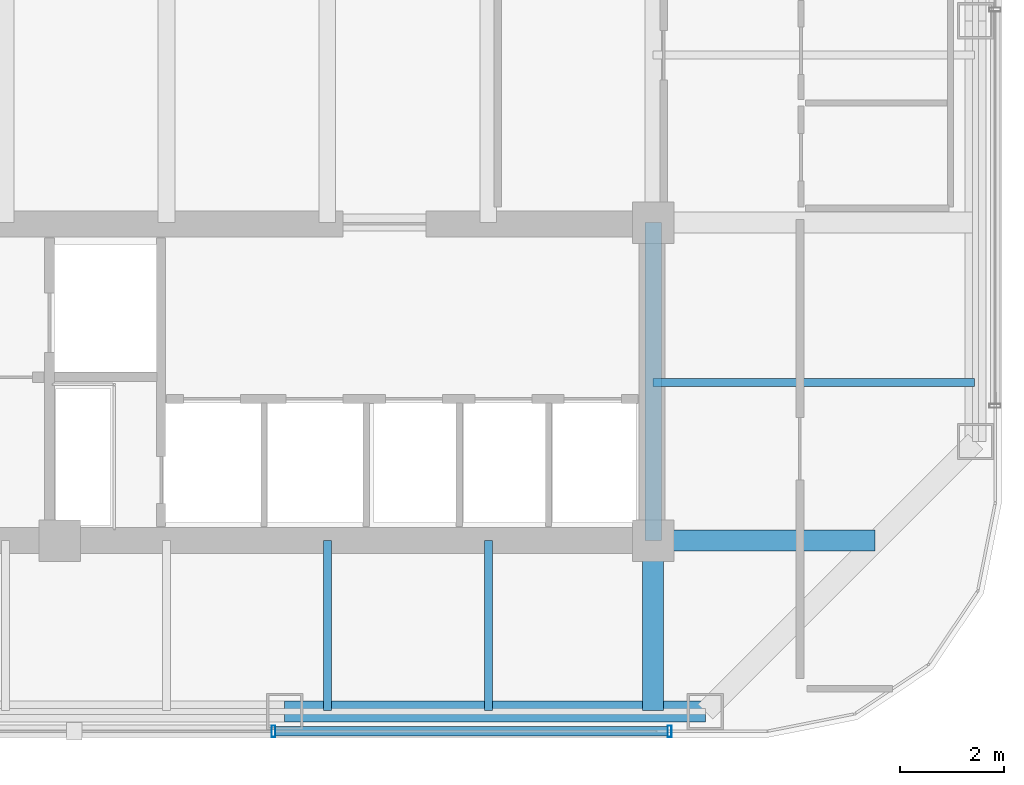
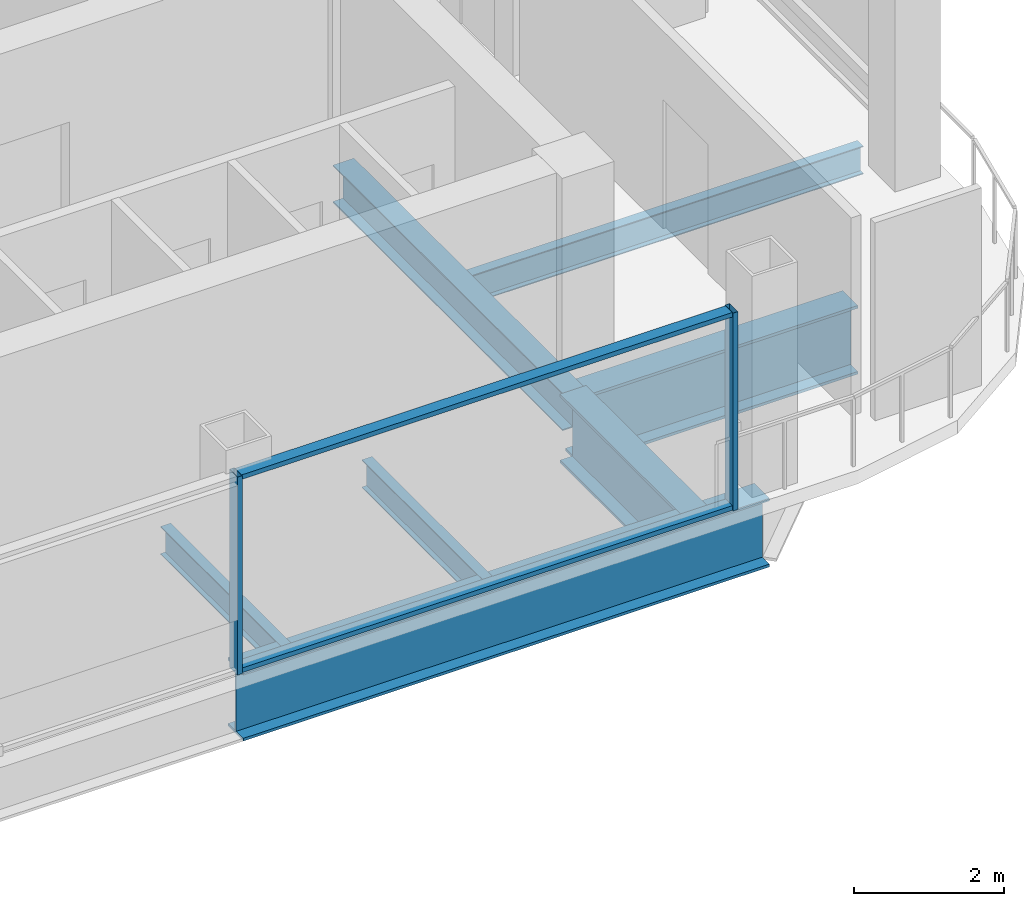
# One storey, part 4 of 19: 7 beams, 4 members, 1 element without a shape of its own.
"""IFC4 building model written with IfcOpenShell, lengths in metres."""

from ifc_helpers import new_model, si_unit, direction, frame, origin, origin_2d, place, context, subcontext, project, spatial, hollow_rectangle, i_section, extrude, material, layer, layer_set, material_profile, profile_set, type_object, element, aggregate, save


model = new_model("IFC4")

# Units and contexts
model_context = context("Model", 3, precision=1e-05, world=origin(), true_north=direction((0.0, 1.0)))
body_context = subcontext(model_context, "Body", "Model", "MODEL_VIEW")
ifc_project = project(units=[si_unit("LENGTHUNIT", "METRE"), si_unit("AREAUNIT", "SQUARE_METRE"), si_unit("VOLUMEUNIT", "CUBIC_METRE"), si_unit("PLANEANGLEUNIT", "RADIAN"), si_unit("MASSUNIT", "GRAM", prefix="KILO")], contexts=[model_context])

# Site, building, storey
site_placement = place(None, origin())
site = spatial("IfcSite", under=ifc_project, at=site_placement, CompositionType="ELEMENT")
building_placement = place(site_placement, origin())
building = spatial("IfcBuilding", under=site, at=building_placement, Name="Qhalaya Broadcast Tower", CompositionType="ELEMENT")
storey_placement = place(building_placement, frame((0.0, 0.0, 148.199951171875)))
storey = spatial("IfcBuildingStorey", under=building, at=storey_placement, Name="L43", CompositionType="ELEMENT", Elevation=148.199951171875)

# Beams
ifc_material_1 = material(Name="Structural Steel ASTM A992 Grade 50", Category="steel")
ifc_material_profile_1 = material_profile(ifc_material_1, i_section(OverallWidth=0.154052734375, OverallDepth=0.458984375, WebThickness=0.009033203125, FlangeThickness=0.015380859375, at=origin_2d()), Name="W18X46")
ifc_profile_set_1 = profile_set([ifc_material_profile_1], Name="Structural Steel ASTM A992 Grade 50")
beam_type_1 = type_object("IfcBeamType", Name="Composite Floor Joist J04", PredefinedType="JOIST", material=ifc_profile_set_1)
for number, where, z_axis, x_axis, name in (
    (1, (3.10009765625, -12.02001953125, -0.449462890625), (0.0, 1.0, 0.0), (-1.0, 0.0, 0.0), "L43 J04 L43-JNS4-1"),
    (2, (6.199951171875, -12.02001953125, -0.449462890625), (0.0, 1.0, 0.0), (-1.0, 0.0, 0.0), "L43 J04 L43-JNS5-1"),
):
    element("IfcBeam", number, at=place(storey_placement, frame(where, z_axis=z_axis, x_axis=x_axis)), inside=storey, type_object=beam_type_1, Name=name, PredefinedType="JOIST", context=body_context, shape_type="SweptSolid", body=[
        extrude(i_section(OverallWidth=0.154052734375, OverallDepth=0.458984375, WebThickness=0.009033203125, FlangeThickness=0.015380859375, at=origin_2d()), origin(), (0.0, 0.0, 1.0), 3.27001953125),
    ])
beam_1_placement = place(storey_placement, frame((9.375, -5.699951171875, -0.449462890625), z_axis=(1.0, 0.0, 0.0), x_axis=(0.0, 1.0, 0.0)))
element("IfcBeam", 3, at=beam_1_placement, inside=storey, type_object=beam_type_1, Name="L43 J04 L43-JWE3E-1", PredefinedType="JOIST", context=body_context, shape_type="SweptSolid", body=[
    extrude(i_section(OverallWidth=0.154052734375, OverallDepth=0.458984375, WebThickness=0.009033203125, FlangeThickness=0.015380859375, at=origin_2d()), origin(), (0.0, 0.0, 1.0), 6.18505859375),
])
ifc_material_profile_2 = material_profile(ifc_material_1, i_section(OverallWidth=0.323974609375, OverallDepth=0.612060546875, WebThickness=0.0126953125, FlangeThickness=0.01904296875, at=origin_2d()), Name="W24X104")
ifc_profile_set_2 = profile_set([ifc_material_profile_2], Name="Structural Steel ASTM A992 Grade 50")
beam_type_2 = type_object("IfcBeamType", Name="Core Frame Tie Beam B04", PredefinedType="BEAM", material=ifc_profile_set_2)
beam_2_placement = place(storey_placement, frame((9.375, -8.75, -0.52587890625), z_axis=(0.0, 1.0, 0.0), x_axis=(-1.0, 0.0, 0.0)))
element("IfcBeam", 4, at=beam_2_placement, inside=storey, type_object=beam_type_2, Name="L43 B04 L43-CCS2", PredefinedType="BEAM", context=body_context, shape_type="SweptSolid", body=[
    extrude(i_section(OverallWidth=0.323974609375, OverallDepth=0.612060546875, WebThickness=0.0126953125, FlangeThickness=0.01904296875, at=origin_2d()), origin(), (0.0, 0.0, 1.0), 6.125),
])
ifc_material_profile_3 = material_profile(ifc_material_1, i_section(OverallWidth=0.404052734375, OverallDepth=1.117919921875, WebThickness=0.026123046875, FlangeThickness=0.044921875, at=origin_2d()), Name="W44X335")
ifc_profile_set_3 = profile_set([ifc_material_profile_3], Name="Structural Steel ASTM A992 Grade 50")
beam_type_3 = type_object("IfcBeamType", Name="Podium Long-Span Primary Girder PG1", PredefinedType="USERDEFINED", material=ifc_profile_set_3)
beam_3_placement = place(storey_placement, frame((2.280029296875, -12.0400390625, -0.779052734375), z_axis=(1.0, 0.0, 0.0), x_axis=(0.0, 1.0, 0.0)))
element("IfcBeam", 5, at=beam_3_placement, inside=storey, type_object=beam_type_3, Name="L43 PG1 L43-SPR-03", ObjectType="GIRDER", PredefinedType="USERDEFINED", context=body_context, shape_type="SweptSolid", body=[
    extrude(i_section(OverallWidth=0.404052734375, OverallDepth=1.117919921875, WebThickness=0.026123046875, FlangeThickness=0.044921875, at=origin_2d()), origin(), (0.0, 0.0, 1.0), 8.099853515625),
])
beam_4_placement = place(storey_placement, frame((9.375, -12.02001953125, -0.779052734375), z_axis=(0.0, 1.0, 0.0), x_axis=(-1.0, 0.0, 0.0)))
element("IfcBeam", 6, at=beam_4_placement, inside=storey, type_object=beam_type_3, Name="L43 PG1 L43-PGXS2-1", ObjectType="GIRDER", PredefinedType="USERDEFINED", context=body_context, shape_type="SweptSolid", body=[
    extrude(i_section(OverallWidth=0.404052734375, OverallDepth=1.117919921875, WebThickness=0.026123046875, FlangeThickness=0.044921875, at=origin_2d()), origin(), (0.0, 0.0, 1.0), 3.27001953125),
])
beam_5_placement = place(storey_placement, frame((9.375, -8.75, -0.779052734375), z_axis=(1.0, 0.0, 0.0), x_axis=(0.0, 1.0, 0.0)))
element("IfcBeam", 7, at=beam_5_placement, inside=storey, type_object=beam_type_3, Name="L43 PG1 L43-PGYE1-1", ObjectType="GIRDER", PredefinedType="USERDEFINED", context=body_context, shape_type="SweptSolid", body=[
    extrude(i_section(OverallWidth=0.404052734375, OverallDepth=1.117919921875, WebThickness=0.026123046875, FlangeThickness=0.044921875, at=origin_2d()), origin(), (0.0, 0.0, 1.0), 4.2666015625),
])

# Curtain wall, members
ifc_material_2 = material(Name="Solar-Control Low-E Triple Glazing", Category="glass")
ifc_layer = layer(ifc_material_2, 0.219970703125, Name="Solar-Control Low-E Triple Glazing")
ifc_layer_set = layer_set([ifc_layer], Name="Solar-Control Low-E Triple Glazing")
curtain_wall_type = type_object("IfcCurtainWallType", Name="Recessed Sky-Garden Neck Ribbon Curtain Wall CW-05", PredefinedType="NOTDEFINED", material=ifc_layer_set)
curtain_wall_placement = place(storey_placement, origin())
curtain_wall = element("IfcCurtainWall", 8, at=curtain_wall_placement, inside=storey, type_object=curtain_wall_type, Name="L43 Unitised Curtain Wall L43-CW-S", PredefinedType="NOTDEFINED")
ifc_material_3 = material(Name="Anodised Aluminium 6063-T6", Category="aluminium")
ifc_material_profile_4 = material_profile(ifc_material_3, hollow_rectangle(XDim=0.074951171875, YDim=0.219970703125, WallThickness=0.00390625, at=origin_2d()), Name="ALU-MUL 75x220x4")
ifc_profile_set_4 = profile_set([ifc_material_profile_4], Name="Anodised Aluminium 6063-T6")
member_type_1 = type_object("IfcMemberType", Name="Unitised Curtain-Wall Mullion M01", PredefinedType="MULLION", material=ifc_profile_set_4)
member_1_placement = place(storey_placement, frame((2.063232421875, -12.419921875, 0.0), z_axis=(0.0, 0.0, 1.0), x_axis=(1.0, 0.0, 0.0)))
member_1 = element("IfcMember", 9, at=member_1_placement, type_object=member_type_1, Name="CW-05 mullion 3", PredefinedType="MULLION", context=body_context, shape_type="SweptSolid", body=[
    extrude(hollow_rectangle(XDim=0.074951171875, YDim=0.219970703125, WallThickness=0.00390625, at=origin_2d()), origin(), (0.0, 0.0, 1.0), 3.219970703125),
])
member_2_placement = place(storey_placement, frame((9.6923828125, -12.419921875, 0.0), z_axis=(0.0, 0.0, 1.0), x_axis=(1.0, 0.0, 0.0)))
member_2 = element("IfcMember", 10, at=member_2_placement, type_object=member_type_1, Name="CW-05 mullion 4", PredefinedType="MULLION", context=body_context, shape_type="SweptSolid", body=[
    extrude(hollow_rectangle(XDim=0.074951171875, YDim=0.219970703125, WallThickness=0.00390625, at=origin_2d()), origin(), (0.0, 0.0, 1.0), 3.219970703125),
])
ifc_material_profile_5 = material_profile(ifc_material_3, hollow_rectangle(XDim=0.074951171875, YDim=0.179931640625, WallThickness=0.00390625, at=origin_2d()), Name="ALU-TRN 75x180x4")
ifc_profile_set_5 = profile_set([ifc_material_profile_5], Name="Anodised Aluminium 6063-T6")
member_type_2 = type_object("IfcMemberType", Name="Unitised Curtain-Wall Transom T01", PredefinedType="USERDEFINED", material=ifc_profile_set_5)
member_3_placement = place(storey_placement, frame((2.100830078125, -12.419921875, 0.03759765625), z_axis=(1.0, 0.0, 0.0), x_axis=(0.0, 0.0, 1.0)))
member_3 = element("IfcMember", 11, at=member_3_placement, type_object=member_type_2, Name="CW-05 transom 3.1", ObjectType="TRANSOM", PredefinedType="USERDEFINED", context=body_context, shape_type="SweptSolid", body=[
    extrude(hollow_rectangle(XDim=0.074951171875, YDim=0.179931640625, WallThickness=0.00390625, at=origin_2d()), origin(), (0.0, 0.0, 1.0), 7.55419921875),
])
member_4_placement = place(storey_placement, frame((2.100830078125, -12.419921875, 3.1826171875), z_axis=(1.0, 0.0, 0.0), x_axis=(0.0, 0.0, 1.0)))
member_4 = element("IfcMember", 12, at=member_4_placement, type_object=member_type_2, Name="CW-05 transom 3.2", ObjectType="TRANSOM", PredefinedType="USERDEFINED", context=body_context, shape_type="SweptSolid", body=[
    extrude(hollow_rectangle(XDim=0.074951171875, YDim=0.179931640625, WallThickness=0.00390625, at=origin_2d()), origin(), (0.0, 0.0, 1.0), 7.55419921875),
])
aggregate(curtain_wall, [member_1, member_2, member_3, member_4])

save(model, "model.ifc")
